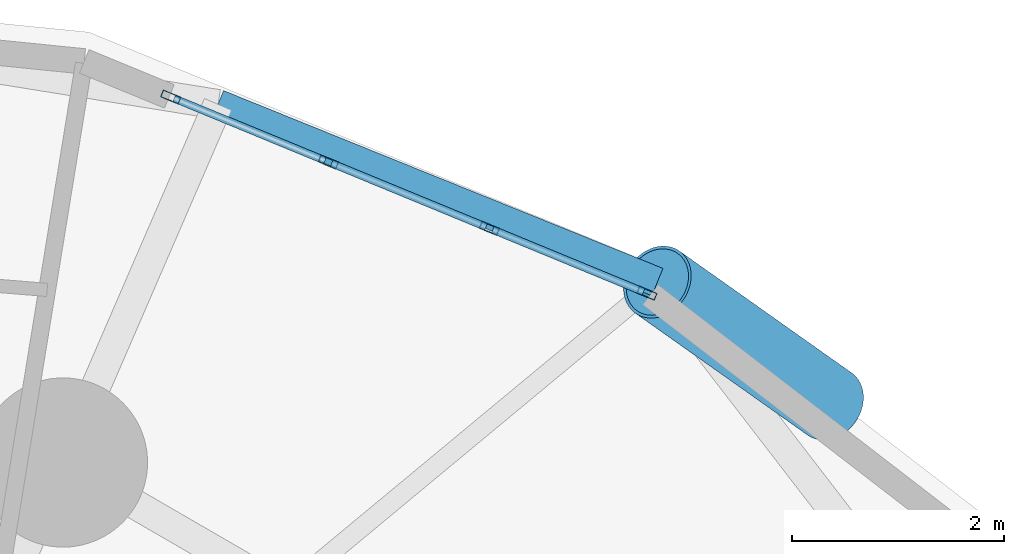
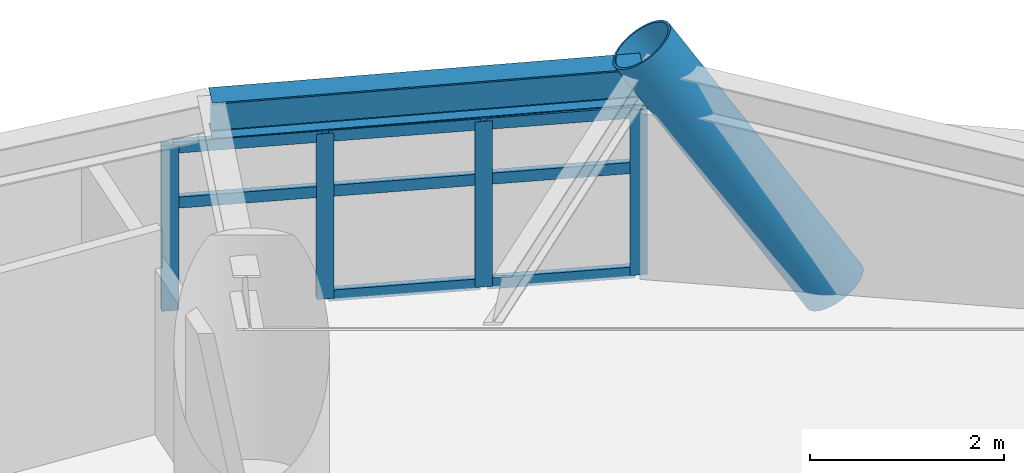
# One storey, part 6 of 16: 13 members, 1 beam, 1 element without a shape of its own.
"""IFC4 building model written with IfcOpenShell, lengths in metres."""

from ifc_helpers import new_model, si_unit, direction, frame, origin, origin_2d, place, context, subcontext, project, spatial, hollow_rectangle, hollow_circle, i_section, extrude, material, layer, layer_set, material_profile, profile_set, type_object, element, aggregate, save


model = new_model("IFC4")

# Units and contexts
model_context = context("Model", 3, precision=1e-05, world=origin(), true_north=direction((0.0, 1.0)))
body_context = subcontext(model_context, "Body", "Model", "MODEL_VIEW")
ifc_project = project(units=[si_unit("LENGTHUNIT", "METRE"), si_unit("AREAUNIT", "SQUARE_METRE"), si_unit("VOLUMEUNIT", "CUBIC_METRE"), si_unit("PLANEANGLEUNIT", "RADIAN"), si_unit("MASSUNIT", "GRAM", prefix="KILO")], contexts=[model_context])

# Site, building, storey
site_placement = place(None, origin())
site = spatial("IfcSite", under=ifc_project, at=site_placement, CompositionType="ELEMENT")
building_placement = place(site_placement, origin())
building = spatial("IfcBuilding", under=site, at=building_placement, Name="Cununo Teusaquillo Station Towers", CompositionType="ELEMENT")
storey_placement = place(building_placement, frame((0.0, 0.0, 62.739990234375)))
storey = spatial("IfcBuildingStorey", under=building, at=storey_placement, Name="L19", CompositionType="ELEMENT", Elevation=62.739990234375)

# Beam
ifc_material_1 = material(Name="Steel ASTM A572 Grade 50", Category="steel")
ifc_material_profile_1 = material_profile(ifc_material_1, i_section(OverallWidth=0.280029296875, OverallDepth=0.462890625, WebThickness=0.0107421875, FlangeThickness=0.017333984375, FilletRadius=0.013916015625, at=origin_2d()), Name="W18X76")
ifc_profile_set_1 = profile_set([ifc_material_profile_1], Name="Steel ASTM A572 Grade 50")
beam_type = type_object("IfcBeamType", Name="BM-RING-Z2", PredefinedType="SPANDREL", material=ifc_profile_set_1)
beam_placement = place(storey_placement, frame((63.9111328125, 39.341064453125, 2.338623046875), z_axis=(-0.927007712072, 0.375042266631, 0.0), x_axis=(-0.375042266631, -0.927007712072, 0.0)))
element("IfcBeam", 1, at=beam_placement, inside=storey, type_object=beam_type, Name="L19 Tower B Spandrel Ring Beam 02", PredefinedType="SPANDREL", context=body_context, shape_type="SweptSolid", body=[
    extrude(i_section(OverallWidth=0.280029296875, OverallDepth=0.462890625, WebThickness=0.0107421875, FlangeThickness=0.017333984375, FilletRadius=0.013916015625, at=origin_2d()), origin(), (0.0, 0.0, 1.0), 4.480712890625),
])

# Curtain wall, members
ifc_material_2 = material(Name="Operable acoustic tinted low-E double glazing", Category="glass")
ifc_layer = layer(ifc_material_2, 0.179931640625)
ifc_layer_set = layer_set([ifc_layer], Name="Operable acoustic tinted low-E double glazing")
curtain_wall_type = type_object("IfcCurtainWallType", Name="CW-SYS-03", PredefinedType="USERDEFINED", material=ifc_layer_set)
curtain_wall_placement = place(storey_placement, origin())
curtain_wall = element("IfcCurtainWall", 2, at=curtain_wall_placement, inside=storey, type_object=curtain_wall_type, Name="L19 Tower B Facade Curtain Wall C01", ObjectType="OPERABLE GLAZING", PredefinedType="USERDEFINED")
ifc_material_3 = material(Name="Anodised dark bronze aluminium EN AW-6063-T6", Category="aluminium")
ifc_material_profile_2 = material_profile(ifc_material_3, hollow_rectangle(XDim=0.070068359375, YDim=0.179931640625, WallThickness=0.00390625, at=origin_2d()), Name="CW-MULL-70x180")
ifc_profile_set_2 = profile_set([ifc_material_profile_2], Name="Anodised dark bronze aluminium EN AW-6063-T6")
member_type_1 = type_object("IfcMemberType", Name="CWM-180", PredefinedType="MULLION", material=ifc_profile_set_2)
member_1_placement = place(storey_placement, frame((59.310791015625, 41.090576171875, 0.0), z_axis=(0.0, 0.0, 1.0), x_axis=(0.381006438517, 0.924572384299, 0.0)))
member_1 = element("IfcMember", 3, at=member_1_placement, type_object=member_type_1, Name="CW-03 mullion 1", PredefinedType="MULLION", context=body_context, shape_type="SweptSolid", body=[
    extrude(hollow_rectangle(XDim=0.070068359375, YDim=0.179931640625, WallThickness=0.00390625, at=origin_2d()), origin(), (0.0, 0.0, 1.0), 2.0791015625),
])
member_2_placement = place(storey_placement, frame((60.800537109375, 40.4765625, 0.0), z_axis=(0.0, 0.0, 1.0), x_axis=(0.381006438517, 0.924572384299, 0.0)))
member_2 = element("IfcMember", 4, at=member_2_placement, type_object=member_type_1, Name="CW-03 mullion 2", PredefinedType="MULLION", context=body_context, shape_type="SweptSolid", body=[
    extrude(hollow_rectangle(XDim=0.070068359375, YDim=0.179931640625, WallThickness=0.00390625, at=origin_2d()), origin(), (0.0, 0.0, 1.0), 2.0791015625),
])
member_3_placement = place(storey_placement, frame((62.322509765625, 39.849365234375, 0.0), z_axis=(0.0, 0.0, 1.0), x_axis=(0.381006438517, 0.924572384299, 0.0)))
member_3 = element("IfcMember", 5, at=member_3_placement, type_object=member_type_1, Name="CW-03 mullion 3", PredefinedType="MULLION", context=body_context, shape_type="SweptSolid", body=[
    extrude(hollow_rectangle(XDim=0.070068359375, YDim=0.179931640625, WallThickness=0.00390625, at=origin_2d()), origin(), (0.0, 0.0, 1.0), 2.0791015625),
])
member_4_placement = place(storey_placement, frame((63.812255859375, 39.235595703125, 0.0), z_axis=(0.0, 0.0, 1.0), x_axis=(0.381006438517, 0.924572384299, 0.0)))
member_4 = element("IfcMember", 6, at=member_4_placement, type_object=member_type_1, Name="CW-03 mullion 4", PredefinedType="MULLION", context=body_context, shape_type="SweptSolid", body=[
    extrude(hollow_rectangle(XDim=0.070068359375, YDim=0.179931640625, WallThickness=0.00390625, at=origin_2d()), origin(), (0.0, 0.0, 1.0), 2.0791015625),
])
ifc_material_4 = material(Name="Anodised dark bronze aluminium EN AW-6063-T6", Category="aluminium")
ifc_material_profile_3 = material_profile(ifc_material_4, hollow_rectangle(XDim=0.070068359375, YDim=0.139892578125, WallThickness=0.00390625, at=origin_2d()), Name="CW-TRAN-70x140")
ifc_profile_set_3 = profile_set([ifc_material_profile_3], Name="Anodised dark bronze aluminium EN AW-6063-T6")
member_type_2 = type_object("IfcMemberType", Name="CWT-140", PredefinedType="USERDEFINED", material=ifc_profile_set_3)
member_5_placement = place(storey_placement, frame((59.34326171875, 41.0771484375, 1.35107421875), z_axis=(0.924569788206, -0.381012738286, 0.0), x_axis=(0.381012738286, 0.924569788206, 0.0)))
member_5 = element("IfcMember", 7, at=member_5_placement, type_object=member_type_2, Name="CW-03 transom 1.2", ObjectType="TRANSOM", PredefinedType="USERDEFINED", context=body_context, shape_type="SweptSolid", body=[
    extrude(hollow_rectangle(XDim=0.070068359375, YDim=0.139892578125, WallThickness=0.00390625, at=origin_2d()), origin(), (0.0, 0.0, 1.0), 1.541015625),
])
member_6_placement = place(storey_placement, frame((59.34326171875, 41.0771484375, 2.0439453125), z_axis=(0.924569788206, -0.381012738286, 0.0), x_axis=(0.381012738286, 0.924569788206, 0.0)))
member_6 = element("IfcMember", 8, at=member_6_placement, type_object=member_type_2, Name="CW-03 transom 1.3", ObjectType="TRANSOM", PredefinedType="USERDEFINED", context=body_context, shape_type="SweptSolid", body=[
    extrude(hollow_rectangle(XDim=0.070068359375, YDim=0.139892578125, WallThickness=0.00390625, at=origin_2d()), origin(), (0.0, 0.0, 1.0), 1.541015625),
])
member_7_placement = place(storey_placement, frame((60.832763671875, 40.46337890625, 0.034912109375), z_axis=(0.924559362958, -0.381038035329, 0.0), x_axis=(0.381038035329, 0.924559362958, 0.0)))
member_7 = element("IfcMember", 9, at=member_7_placement, type_object=member_type_2, Name="CW-03 transom 2.1", ObjectType="TRANSOM", PredefinedType="USERDEFINED", context=body_context, shape_type="SweptSolid", body=[
    extrude(hollow_rectangle(XDim=0.070068359375, YDim=0.139892578125, WallThickness=0.00390625, at=origin_2d()), origin(), (0.0, 0.0, 1.0), 1.576171875),
])
member_8_placement = place(storey_placement, frame((60.832763671875, 40.46337890625, 1.35107421875), z_axis=(0.924559362958, -0.381038035329, 0.0), x_axis=(0.381038035329, 0.924559362958, 0.0)))
member_8 = element("IfcMember", 10, at=member_8_placement, type_object=member_type_2, Name="CW-03 transom 2.2", ObjectType="TRANSOM", PredefinedType="USERDEFINED", context=body_context, shape_type="SweptSolid", body=[
    extrude(hollow_rectangle(XDim=0.070068359375, YDim=0.139892578125, WallThickness=0.00390625, at=origin_2d()), origin(), (0.0, 0.0, 1.0), 1.576171875),
])
member_9_placement = place(storey_placement, frame((60.832763671875, 40.46337890625, 2.0439453125), z_axis=(0.924559362958, -0.381038035329, 0.0), x_axis=(0.381038035329, 0.924559362958, 0.0)))
member_9 = element("IfcMember", 11, at=member_9_placement, type_object=member_type_2, Name="CW-03 transom 2.3", ObjectType="TRANSOM", PredefinedType="USERDEFINED", context=body_context, shape_type="SweptSolid", body=[
    extrude(hollow_rectangle(XDim=0.070068359375, YDim=0.139892578125, WallThickness=0.00390625, at=origin_2d()), origin(), (0.0, 0.0, 1.0), 1.576171875),
])
member_10_placement = place(storey_placement, frame((62.35498046875, 39.836181640625, 0.034912109375), z_axis=(0.92451397274, -0.381148152572, 0.0), x_axis=(0.381148152572, 0.92451397274, 0.0)))
member_10 = element("IfcMember", 12, at=member_10_placement, type_object=member_type_2, Name="CW-03 transom 3.1", ObjectType="TRANSOM", PredefinedType="USERDEFINED", context=body_context, shape_type="SweptSolid", body=[
    extrude(hollow_rectangle(XDim=0.070068359375, YDim=0.139892578125, WallThickness=0.00390625, at=origin_2d()), origin(), (0.0, 0.0, 1.0), 1.541259765625),
])
member_11_placement = place(storey_placement, frame((62.35498046875, 39.836181640625, 1.35107421875), z_axis=(0.92451397274, -0.381148152572, 0.0), x_axis=(0.381148152572, 0.92451397274, 0.0)))
member_11 = element("IfcMember", 13, at=member_11_placement, type_object=member_type_2, Name="CW-03 transom 3.2", ObjectType="TRANSOM", PredefinedType="USERDEFINED", context=body_context, shape_type="SweptSolid", body=[
    extrude(hollow_rectangle(XDim=0.070068359375, YDim=0.139892578125, WallThickness=0.00390625, at=origin_2d()), origin(), (0.0, 0.0, 1.0), 1.541259765625),
])
member_12_placement = place(storey_placement, frame((62.35498046875, 39.836181640625, 2.0439453125), z_axis=(0.92451397274, -0.381148152572, 0.0), x_axis=(0.381148152572, 0.92451397274, 0.0)))
member_12 = element("IfcMember", 14, at=member_12_placement, type_object=member_type_2, Name="CW-03 transom 3.3", ObjectType="TRANSOM", PredefinedType="USERDEFINED", context=body_context, shape_type="SweptSolid", body=[
    extrude(hollow_rectangle(XDim=0.070068359375, YDim=0.139892578125, WallThickness=0.00390625, at=origin_2d()), origin(), (0.0, 0.0, 1.0), 1.541259765625),
])
aggregate(curtain_wall, [member_1, member_2, member_3, member_4, member_5, member_6, member_7, member_8, member_9, member_10, member_11, member_12])

# Member
ifc_material_5 = material(Name="Steel EN 10025-2 S355J2", Category="steel")
ifc_material_profile_4 = material_profile(ifc_material_5, hollow_circle(Radius=0.360107421875, WallThickness=0.028076171875, at=origin_2d()), Name="CHS 720x28")
ifc_profile_set_4 = profile_set([ifc_material_profile_4], Name="Steel EN 10025-2 S355J2")
member_type_3 = type_object("IfcMemberType", Name="MBR-DIAG-Z1", PredefinedType="BRACE", material=ifc_profile_set_4)
member_13_placement = place(storey_placement, frame((65.539794921875, 38.189208984375, -0.139892578125), z_axis=(-0.461636772977, 0.326488126953, 0.824801183798), x_axis=(-0.577422937395, -0.816445191896, 0.0)))
element("IfcMember", 15, at=member_13_placement, inside=storey, type_object=member_type_3, Name="L19 Tower B Folded-Zigzag Diagrid Tube C00", PredefinedType="BRACE", context=body_context, shape_type="SweptSolid", body=[
    extrude(hollow_circle(Radius=0.360107421875, WallThickness=0.028076171875, at=origin_2d()), origin(), (0.0, 0.0, 1.0), 3.528076171875),
])

save(model, "model.ifc")
